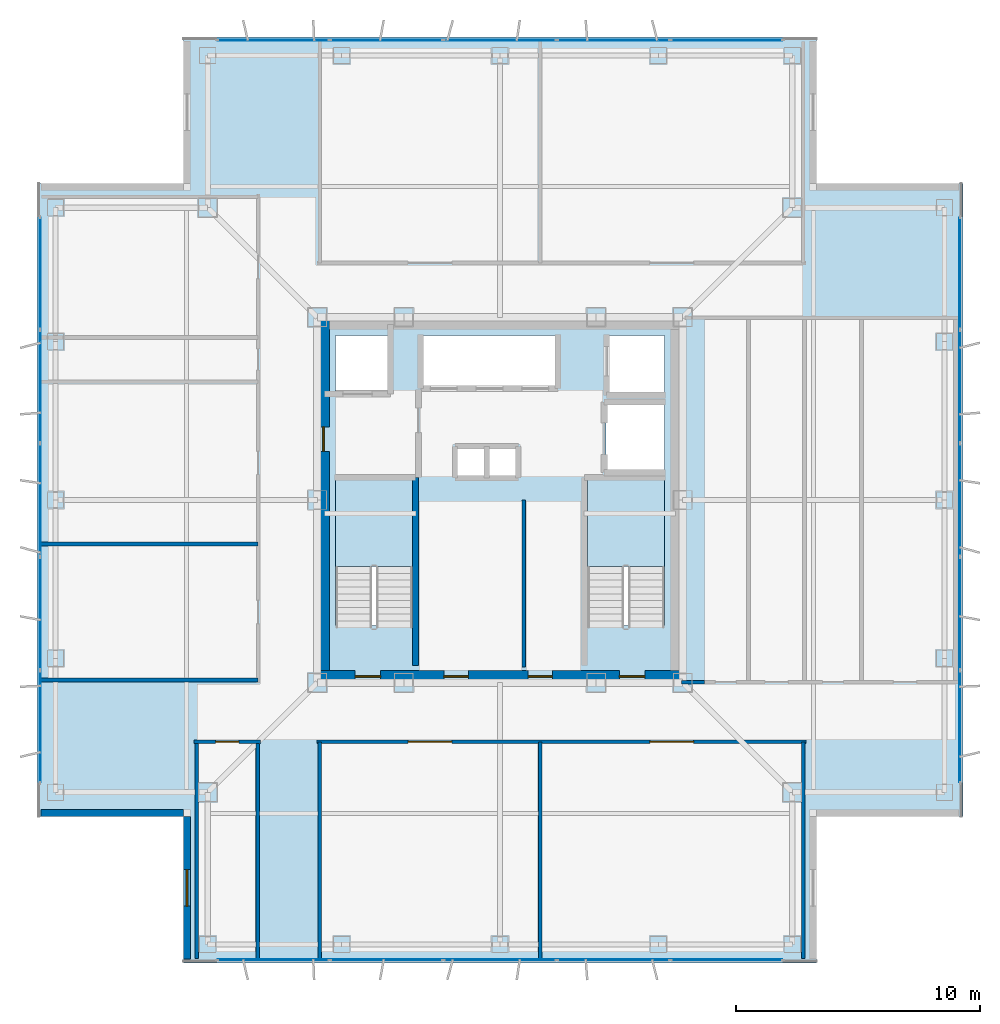
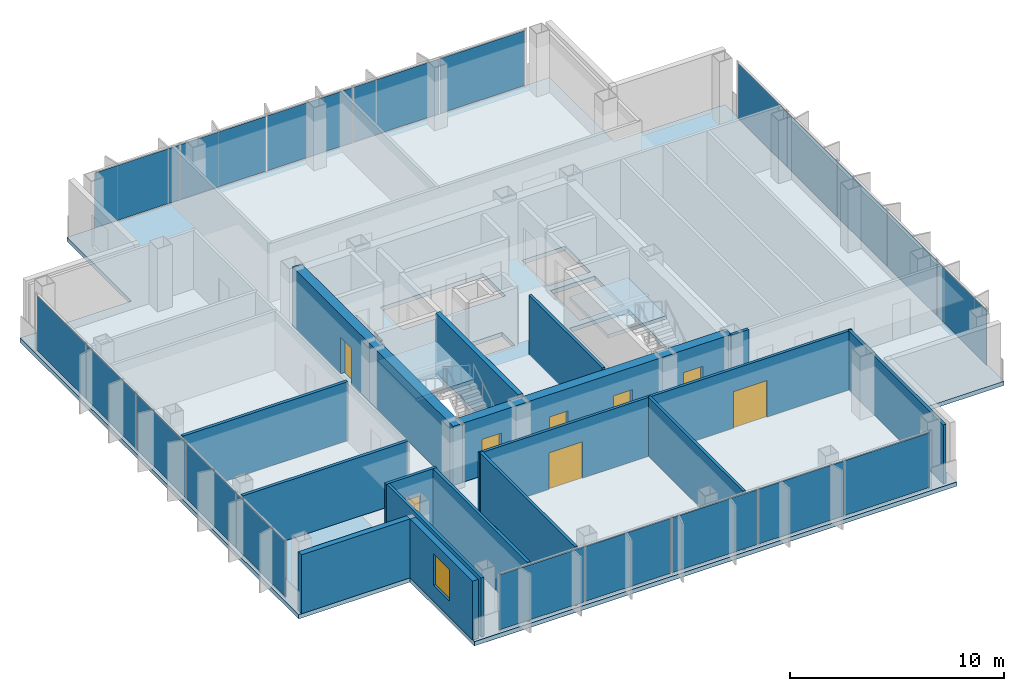
# One storey, part 7 of 15: 20 plates, 16 walls, 8 doors, 3 slabs, 1 window, 9 openings, 6 elements without a shape of their own.
"""IFC4 building model written with IfcOpenShell, lengths in metres."""

from ifc_helpers import new_model, si_unit, direction, frame, frame_2d, origin, origin_2d, place, context, subcontext, project, spatial, polyline, rectangle, outline, extrude, material, layer, layer_set, type_object, element, fill, aggregate, save


model = new_model("IFC4")

# Units and contexts
model_context = context("Model", 3, precision=1e-05, world=origin(), true_north=direction((0.0, 1.0)))
body_context = subcontext(model_context, "Body", "Model", "MODEL_VIEW")
ifc_project = project(units=[si_unit("LENGTHUNIT", "METRE"), si_unit("AREAUNIT", "SQUARE_METRE"), si_unit("VOLUMEUNIT", "CUBIC_METRE"), si_unit("PLANEANGLEUNIT", "RADIAN"), si_unit("MASSUNIT", "GRAM", prefix="KILO")], contexts=[model_context])

# Site, building, storey
site_placement = place(None, origin())
site = spatial("IfcSite", under=ifc_project, at=site_placement, CompositionType="ELEMENT")
building_placement = place(site_placement, origin())
building = spatial("IfcBuilding", under=site, at=building_placement, Name="Trevonay Congress Spire", CompositionType="ELEMENT")
storey_placement = place(building_placement, frame((0.0, 0.0, 282.800048828125)))
storey = spatial("IfcBuildingStorey", under=building, at=storey_placement, Name="L74", CompositionType="ELEMENT", Elevation=282.800048828125)

# Curtain wall, plates
ifc_material_1 = material(Name="Pale Anodised Aluminium EN AW-6063-T6", Category="aluminium")
ifc_layer_1 = layer(ifc_material_1, 0.1650390625, Name="Pale Anodised Aluminium EN AW-6063-T6")
ifc_layer_set_1 = layer_set([ifc_layer_1], Name="Pale Anodised Aluminium EN AW-6063-T6")
curtain_wall_type = type_object("IfcCurtainWallType", Name="CW-SYS05-DIPLOM-PALE-METAL", PredefinedType="NOTDEFINED", material=ifc_layer_set_1)
curtain_wall_1_placement = place(storey_placement, origin())
curtain_wall_1 = element("IfcCurtainWall", 1, at=curtain_wall_1_placement, inside=storey, type_object=curtain_wall_type, Name="L74 S unitised curtain wall", PredefinedType="NOTDEFINED")
ifc_material_2 = material(Name="Insulated Low-E Vision Glass IGU", Category="glass")
ifc_layer_2 = layer(ifc_material_2, 0.035888671875, Name="Insulated Low-E Vision Glass IGU")
ifc_layer_set_2 = layer_set([ifc_layer_2], Name="Insulated Low-E Vision Glass IGU")
plate_type = type_object("IfcPlateType", Name="CW-PANEL-IGU36-SILVER", PredefinedType="CURTAIN_PANEL", material=ifc_layer_set_2)
plate_1_placement = place(storey_placement, frame((-9.304931640625, -18.8798828125, 0.119873046875), z_axis=(0.0, 0.0, 1.0), x_axis=(1.0, 0.0, 0.0)))
plate_1 = element("IfcPlate", 2, at=plate_1_placement, type_object=plate_type, Name="CW05 panel 1.1", PredefinedType="CURTAIN_PANEL", context=body_context, shape_type="SweptSolid", body=[
    extrude(rectangle(XDim=4.570068359375, YDim=0.035888671875, at=origin_2d()), origin(), (0.0, 0.0, 1.0), 3.1201171875),
])
plate_2_placement = place(storey_placement, frame((-4.659912109375, -18.8798828125, 0.119873046875), z_axis=(0.0, 0.0, 1.0), x_axis=(1.0, 0.0, 0.0)))
plate_2 = element("IfcPlate", 3, at=plate_2_placement, type_object=plate_type, Name="CW05 panel 2.1", PredefinedType="CURTAIN_PANEL", context=body_context, shape_type="SweptSolid", body=[
    extrude(rectangle(XDim=4.60009765625, YDim=0.035888671875, at=origin_2d()), origin(), (0.0, 0.0, 1.0), 3.1201171875),
])
plate_3_placement = place(storey_placement, frame((0.0, -18.8798828125, 0.119873046875), z_axis=(0.0, 0.0, 1.0), x_axis=(1.0, 0.0, 0.0)))
plate_3 = element("IfcPlate", 4, at=plate_3_placement, type_object=plate_type, Name="CW05 panel 3.1", PredefinedType="CURTAIN_PANEL", context=body_context, shape_type="SweptSolid", body=[
    extrude(rectangle(XDim=4.60009765625, YDim=0.035888671875, at=origin_2d()), origin(), (0.0, 0.0, 1.0), 3.1201171875),
])
plate_4_placement = place(storey_placement, frame((4.659912109375, -18.8798828125, 0.119873046875), z_axis=(0.0, 0.0, 1.0), x_axis=(1.0, 0.0, 0.0)))
plate_4 = element("IfcPlate", 5, at=plate_4_placement, type_object=plate_type, Name="CW05 panel 4.1", PredefinedType="CURTAIN_PANEL", context=body_context, shape_type="SweptSolid", body=[
    extrude(rectangle(XDim=4.60009765625, YDim=0.035888671875, at=origin_2d()), origin(), (0.0, 0.0, 1.0), 3.1201171875),
])
plate_5_placement = place(storey_placement, frame((9.304931640625, -18.8798828125, 0.119873046875), z_axis=(0.0, 0.0, 1.0), x_axis=(1.0, 0.0, 0.0)))
plate_5 = element("IfcPlate", 6, at=plate_5_placement, type_object=plate_type, Name="CW05 panel 5.1", PredefinedType="CURTAIN_PANEL", context=body_context, shape_type="SweptSolid", body=[
    extrude(rectangle(XDim=4.570068359375, YDim=0.035888671875, at=origin_2d()), origin(), (0.0, 0.0, 1.0), 3.1201171875),
])
aggregate(curtain_wall_1, [plate_1, plate_2, plate_3, plate_4, plate_5])

curtain_wall_2_placement = place(storey_placement, origin())
curtain_wall_2 = element("IfcCurtainWall", 7, at=curtain_wall_2_placement, inside=storey, type_object=curtain_wall_type, Name="L74 N unitised curtain wall", PredefinedType="NOTDEFINED")
plate_6_placement = place(storey_placement, frame((-9.304931640625, 18.8798828125, 0.119873046875), z_axis=(0.0, 0.0, 1.0), x_axis=(1.0, 0.0, 0.0)))
plate_6 = element("IfcPlate", 8, at=plate_6_placement, type_object=plate_type, Name="CW05 panel 1.1", PredefinedType="CURTAIN_PANEL", context=body_context, shape_type="SweptSolid", body=[
    extrude(rectangle(XDim=4.570068359375, YDim=0.035888671875, at=origin_2d()), origin(), (0.0, 0.0, 1.0), 3.1201171875),
])
plate_7_placement = place(storey_placement, frame((-4.659912109375, 18.8798828125, 0.119873046875), z_axis=(0.0, 0.0, 1.0), x_axis=(1.0, 0.0, 0.0)))
plate_7 = element("IfcPlate", 9, at=plate_7_placement, type_object=plate_type, Name="CW05 panel 2.1", PredefinedType="CURTAIN_PANEL", context=body_context, shape_type="SweptSolid", body=[
    extrude(rectangle(XDim=4.60009765625, YDim=0.035888671875, at=origin_2d()), origin(), (0.0, 0.0, 1.0), 3.1201171875),
])
plate_8_placement = place(storey_placement, frame((0.0, 18.8798828125, 0.119873046875), z_axis=(0.0, 0.0, 1.0), x_axis=(1.0, 0.0, 0.0)))
plate_8 = element("IfcPlate", 10, at=plate_8_placement, type_object=plate_type, Name="CW05 panel 3.1", PredefinedType="CURTAIN_PANEL", context=body_context, shape_type="SweptSolid", body=[
    extrude(rectangle(XDim=4.60009765625, YDim=0.035888671875, at=origin_2d()), origin(), (0.0, 0.0, 1.0), 3.1201171875),
])
plate_9_placement = place(storey_placement, frame((4.659912109375, 18.8798828125, 0.119873046875), z_axis=(0.0, 0.0, 1.0), x_axis=(1.0, 0.0, 0.0)))
plate_9 = element("IfcPlate", 11, at=plate_9_placement, type_object=plate_type, Name="CW05 panel 4.1", PredefinedType="CURTAIN_PANEL", context=body_context, shape_type="SweptSolid", body=[
    extrude(rectangle(XDim=4.60009765625, YDim=0.035888671875, at=origin_2d()), origin(), (0.0, 0.0, 1.0), 3.1201171875),
])
plate_10_placement = place(storey_placement, frame((9.304931640625, 18.8798828125, 0.119873046875), z_axis=(0.0, 0.0, 1.0), x_axis=(1.0, 0.0, 0.0)))
plate_10 = element("IfcPlate", 12, at=plate_10_placement, type_object=plate_type, Name="CW05 panel 5.1", PredefinedType="CURTAIN_PANEL", context=body_context, shape_type="SweptSolid", body=[
    extrude(rectangle(XDim=4.570068359375, YDim=0.035888671875, at=origin_2d()), origin(), (0.0, 0.0, 1.0), 3.1201171875),
])
aggregate(curtain_wall_2, [plate_6, plate_7, plate_8, plate_9, plate_10])

curtain_wall_3_placement = place(storey_placement, origin())
curtain_wall_3 = element("IfcCurtainWall", 13, at=curtain_wall_3_placement, inside=storey, type_object=curtain_wall_type, Name="L74 W unitised curtain wall", PredefinedType="NOTDEFINED")
plate_11_placement = place(storey_placement, frame((-18.8798828125, -9.304931640625, 0.119873046875), z_axis=(0.0, 0.0, 1.0), x_axis=(0.0, 1.0, 0.0)))
plate_11 = element("IfcPlate", 14, at=plate_11_placement, type_object=plate_type, Name="CW05 panel 1.1", PredefinedType="CURTAIN_PANEL", context=body_context, shape_type="SweptSolid", body=[
    extrude(rectangle(XDim=4.570068359375, YDim=0.035888671875, at=origin_2d()), origin(), (0.0, 0.0, 1.0), 3.1201171875),
])
plate_12_placement = place(storey_placement, frame((-18.8798828125, -4.659912109375, 0.119873046875), z_axis=(0.0, 0.0, 1.0), x_axis=(0.0, 1.0, 0.0)))
plate_12 = element("IfcPlate", 15, at=plate_12_placement, type_object=plate_type, Name="CW05 panel 2.1", PredefinedType="CURTAIN_PANEL", context=body_context, shape_type="SweptSolid", body=[
    extrude(rectangle(XDim=4.60009765625, YDim=0.035888671875, at=origin_2d()), origin(), (0.0, 0.0, 1.0), 3.1201171875),
])
plate_13_placement = place(storey_placement, frame((-18.8798828125, 0.0, 0.119873046875), z_axis=(0.0, 0.0, 1.0), x_axis=(0.0, 1.0, 0.0)))
plate_13 = element("IfcPlate", 16, at=plate_13_placement, type_object=plate_type, Name="CW05 panel 3.1", PredefinedType="CURTAIN_PANEL", context=body_context, shape_type="SweptSolid", body=[
    extrude(rectangle(XDim=4.60009765625, YDim=0.035888671875, at=origin_2d()), origin(), (0.0, 0.0, 1.0), 3.1201171875),
])
plate_14_placement = place(storey_placement, frame((-18.8798828125, 4.659912109375, 0.119873046875), z_axis=(0.0, 0.0, 1.0), x_axis=(0.0, 1.0, 0.0)))
plate_14 = element("IfcPlate", 17, at=plate_14_placement, type_object=plate_type, Name="CW05 panel 4.1", PredefinedType="CURTAIN_PANEL", context=body_context, shape_type="SweptSolid", body=[
    extrude(rectangle(XDim=4.60009765625, YDim=0.035888671875, at=origin_2d()), origin(), (0.0, 0.0, 1.0), 3.1201171875),
])
plate_15_placement = place(storey_placement, frame((-18.8798828125, 9.304931640625, 0.119873046875), z_axis=(0.0, 0.0, 1.0), x_axis=(0.0, 1.0, 0.0)))
plate_15 = element("IfcPlate", 18, at=plate_15_placement, type_object=plate_type, Name="CW05 panel 5.1", PredefinedType="CURTAIN_PANEL", context=body_context, shape_type="SweptSolid", body=[
    extrude(rectangle(XDim=4.570068359375, YDim=0.035888671875, at=origin_2d()), origin(), (0.0, 0.0, 1.0), 3.1201171875),
])
aggregate(curtain_wall_3, [plate_11, plate_12, plate_13, plate_14, plate_15])

curtain_wall_4_placement = place(storey_placement, origin())
curtain_wall_4 = element("IfcCurtainWall", 19, at=curtain_wall_4_placement, inside=storey, type_object=curtain_wall_type, Name="L74 E unitised curtain wall", PredefinedType="NOTDEFINED")
plate_16_placement = place(storey_placement, frame((18.8798828125, -9.304931640625, 0.119873046875), z_axis=(0.0, 0.0, 1.0), x_axis=(0.0, 1.0, 0.0)))
plate_16 = element("IfcPlate", 20, at=plate_16_placement, type_object=plate_type, Name="CW05 panel 1.1", PredefinedType="CURTAIN_PANEL", context=body_context, shape_type="SweptSolid", body=[
    extrude(rectangle(XDim=4.570068359375, YDim=0.035888671875, at=origin_2d()), origin(), (0.0, 0.0, 1.0), 3.1201171875),
])
plate_17_placement = place(storey_placement, frame((18.8798828125, -4.659912109375, 0.119873046875), z_axis=(0.0, 0.0, 1.0), x_axis=(0.0, 1.0, 0.0)))
plate_17 = element("IfcPlate", 21, at=plate_17_placement, type_object=plate_type, Name="CW05 panel 2.1", PredefinedType="CURTAIN_PANEL", context=body_context, shape_type="SweptSolid", body=[
    extrude(rectangle(XDim=4.60009765625, YDim=0.035888671875, at=origin_2d()), origin(), (0.0, 0.0, 1.0), 3.1201171875),
])
plate_18_placement = place(storey_placement, frame((18.8798828125, 0.0, 0.119873046875), z_axis=(0.0, 0.0, 1.0), x_axis=(0.0, 1.0, 0.0)))
plate_18 = element("IfcPlate", 22, at=plate_18_placement, type_object=plate_type, Name="CW05 panel 3.1", PredefinedType="CURTAIN_PANEL", context=body_context, shape_type="SweptSolid", body=[
    extrude(rectangle(XDim=4.60009765625, YDim=0.035888671875, at=origin_2d()), origin(), (0.0, 0.0, 1.0), 3.1201171875),
])
plate_19_placement = place(storey_placement, frame((18.8798828125, 4.659912109375, 0.119873046875), z_axis=(0.0, 0.0, 1.0), x_axis=(0.0, 1.0, 0.0)))
plate_19 = element("IfcPlate", 23, at=plate_19_placement, type_object=plate_type, Name="CW05 panel 4.1", PredefinedType="CURTAIN_PANEL", context=body_context, shape_type="SweptSolid", body=[
    extrude(rectangle(XDim=4.60009765625, YDim=0.035888671875, at=origin_2d()), origin(), (0.0, 0.0, 1.0), 3.1201171875),
])
plate_20_placement = place(storey_placement, frame((18.8798828125, 9.304931640625, 0.119873046875), z_axis=(0.0, 0.0, 1.0), x_axis=(0.0, 1.0, 0.0)))
plate_20 = element("IfcPlate", 24, at=plate_20_placement, type_object=plate_type, Name="CW05 panel 5.1", PredefinedType="CURTAIN_PANEL", context=body_context, shape_type="SweptSolid", body=[
    extrude(rectangle(XDim=4.570068359375, YDim=0.035888671875, at=origin_2d()), origin(), (0.0, 0.0, 1.0), 3.1201171875),
])
aggregate(curtain_wall_4, [plate_16, plate_17, plate_18, plate_19, plate_20])

# Stair, slab
ifc_material_3 = material(Name="Concrete C40/50", Category="concrete")
stair_type_1 = type_object("IfcStairType", Name="STR-ST-1", PredefinedType="HALF_TURN_STAIR", material=ifc_material_3)
stair_1_placement = place(storey_placement, origin())
stair_1 = element("IfcStair", 25, at=stair_1_placement, inside=storey, type_object=stair_type_1, Name="L74 Protected Exit Stair ST-1", PredefinedType="HALF_TURN_STAIR")
ifc_layer_3 = layer(ifc_material_3, 0.199951171875, Name="Concrete C40/50")
ifc_layer_set_3 = layer_set([ifc_layer_3], Name="Concrete C40/50")
slab_type_1 = type_object("IfcSlabType", Name="SLB-STAIR-LAND-200", PredefinedType="LANDING", material=ifc_layer_set_3)
slab_1_placement = place(storey_placement, frame((0.0, 0.0, 1.599853515625)))
slab_1 = element("IfcSlab", 26, at=slab_1_placement, type_object=slab_type_1, Name="ST-1 landing 1", PredefinedType="LANDING", context=body_context, shape_type="SweptSolid", body=[
    extrude(outline(polyline([(-3.60009765625, -2.72998046875), (-3.60009765625, 0.85009765625), (-6.75, 0.85009765625), (-6.75, -2.72998046875), (-3.60009765625, -2.72998046875)])), origin(), (0.0, 0.0, 1.0), 0.2001953125),
])
aggregate(stair_1, [slab_1])

stair_type_2 = type_object("IfcStairType", Name="STR-ST-2", PredefinedType="HALF_TURN_STAIR", material=ifc_material_3)
stair_2_placement = place(storey_placement, origin())
stair_2 = element("IfcStair", 27, at=stair_2_placement, inside=storey, type_object=stair_type_2, Name="L74 Protected Exit Stair ST-2", PredefinedType="HALF_TURN_STAIR")
slab_2_placement = place(storey_placement, frame((0.0, 0.0, 1.599853515625)))
slab_2 = element("IfcSlab", 28, at=slab_2_placement, type_object=slab_type_1, Name="ST-2 landing 1", PredefinedType="LANDING", context=body_context, shape_type="SweptSolid", body=[
    extrude(outline(polyline([(6.75, -2.72998046875), (6.75, 0.85009765625), (3.60009765625, 0.85009765625), (3.60009765625, -2.72998046875), (6.75, -2.72998046875)])), origin(), (0.0, 0.0, 1.0), 0.2001953125),
])
aggregate(stair_2, [slab_2])

# Slab
ifc_layer_4 = layer(ifc_material_3, 0.239990234375, Name="Concrete C40/50")
ifc_layer_set_4 = layer_set([ifc_layer_4], Name="Concrete C40/50")
slab_type_2 = type_object("IfcSlabType", Name="SLB-TOW2-240", PredefinedType="FLOOR", material=ifc_layer_set_4)
slab_3_placement = place(storey_placement, frame((0.0, 0.0, -0.239990234375)))
element("IfcSlab", 29, at=slab_3_placement, inside=storey, type_object=slab_type_2, Name="L74 structural floor slab", PredefinedType="FLOOR", context=body_context, shape_type="SweptSolid", body=[
    extrude(outline(polyline([(-13.0, -19.0), (13.0, -19.0), (13.0, -13.0), (19.0, -13.0), (19.0, 13.0), (13.0, 13.0), (13.0, 19.0), (-13.0, 19.0), (-13.0, 13.0), (-19.0, 13.0), (-19.0, -13.0), (-13.0, -13.0), (-13.0, -19.0)]), holes=[polyline([(-3.60009765625, -5.14990234375), (-3.60009765625, 0.85009765625), (-6.75, 0.85009765625), (-6.75, -5.14990234375), (-3.60009765625, -5.14990234375)]), polyline([(6.75, -5.14990234375), (6.75, 0.85009765625), (3.60009765625, 0.85009765625), (3.60009765625, -5.14990234375), (6.75, -5.14990234375)]), polyline([(-3.199951171875, 4.64990234375), (2.340087890625, 4.64990234375), (2.340087890625, 6.75), (-3.199951171875, 6.75), (-3.199951171875, 4.64990234375)]), polyline([(-6.75, 4.35009765625), (-4.449951171875, 4.35009765625), (-4.449951171875, 6.75), (-6.75, 6.75), (-6.75, 4.35009765625)]), polyline([(4.449951171875, 4.35009765625), (6.75, 4.35009765625), (6.75, 6.75), (4.449951171875, 6.75), (4.449951171875, 4.35009765625)]), polyline([(4.35009765625, 1.199951171875), (6.75, 1.199951171875), (6.75, 3.949951171875), (4.35009765625, 3.949951171875), (4.35009765625, 1.199951171875)]), polyline([(-1.800048828125, 0.949951171875), (0.699951171875, 0.949951171875), (0.699951171875, 2.14990234375), (-1.800048828125, 2.14990234375), (-1.800048828125, 0.949951171875)])]), origin(), (0.0, 0.0, 1.0), 0.239990234375),
])

# Wall, openings, doors
ifc_material_4 = material(Name="Concrete C50/60", Category="concrete")
ifc_layer_5 = layer(ifc_material_4, 0.5, Name="Concrete C50/60")
ifc_layer_set_5 = layer_set([ifc_layer_5], Name="Concrete C50/60")
wall_type_1 = type_object("IfcWallType", Name="WAL-CORE-500", PredefinedType="SHEAR", material=ifc_layer_set_5)
wall_1_placement = place(storey_placement, frame((-7.5, -7.25, 0.0), z_axis=(0.0, 0.0, 1.0), x_axis=(1.0, 0.0, 0.0)))
wall_1 = element("IfcWall", 30, at=wall_1_placement, inside=storey, type_object=wall_type_1, Name="L74 South structural core shear wall", PredefinedType="SHEAR", context=body_context, shape_type="SweptSolid", body=[
    extrude(rectangle(XDim=15.0, YDim=0.5, at=frame_2d((7.5, 0.0))), origin(), (0.0, 0.0, 1.0), 3.35986328125),
])
opening_1_placement = place(wall_1_placement, frame((1.550048828125, 0.0, 0.0)))
opening_1 = element("IfcOpeningElement", 31, at=opening_1_placement, cuts=wall_1, Name="Opening D05", PredefinedType="OPENING", context=body_context, shape_type="SweptSolid", body=[
    extrude(rectangle(XDim=1.050048828125, YDim=2.080078125, at=frame_2d((0.52490234375, 1.0400390625))), frame((0.0, 0.260009765625, 0.0), z_axis=(0.0, -1.0, 0.0), x_axis=(1.0, 0.0, 0.0)), (0.0, 0.0, 1.0), 0.52001953125),
])
opening_2_placement = place(wall_1_placement, frame((12.39990234375, 0.0, 0.0)))
opening_2 = element("IfcOpeningElement", 32, at=opening_2_placement, cuts=wall_1, Name="Opening D05", PredefinedType="OPENING", context=body_context, shape_type="SweptSolid", body=[
    extrude(rectangle(XDim=1.050048828125, YDim=2.080078125, at=frame_2d((0.52490234375, 1.0400390625))), frame((0.0, 0.260009765625, 0.0), z_axis=(0.0, -1.0, 0.0), x_axis=(1.0, 0.0, 0.0)), (0.0, 0.0, 1.0), 0.52001953125),
])
opening_3_placement = place(wall_1_placement, frame((5.199951171875, 0.0, 0.0)))
opening_3 = element("IfcOpeningElement", 33, at=opening_3_placement, cuts=wall_1, Name="Opening D06", PredefinedType="OPENING", context=body_context, shape_type="SweptSolid", body=[
    extrude(rectangle(XDim=1.0, YDim=2.080078125, at=frame_2d((0.5, 1.0400390625))), frame((0.0, 0.260009765625, 0.0), z_axis=(0.0, -1.0, 0.0), x_axis=(1.0, 0.0, 0.0)), (0.0, 0.0, 1.0), 0.52001953125),
])
opening_4_placement = place(wall_1_placement, frame((8.64990234375, 0.0, 0.0)))
opening_4 = element("IfcOpeningElement", 34, at=opening_4_placement, cuts=wall_1, Name="Opening D06", PredefinedType="OPENING", context=body_context, shape_type="SweptSolid", body=[
    extrude(rectangle(XDim=1.0, YDim=2.080078125, at=frame_2d((0.5, 1.0400390625))), frame((0.0, 0.260009765625, 0.0), z_axis=(0.0, -1.0, 0.0), x_axis=(1.0, 0.0, 0.0)), (0.0, 0.0, 1.0), 0.52001953125),
])
ifc_material_5 = material(Name="Steel ASTM A572 Grade 50", Category="steel")
door_type_1 = type_object("IfcDoorType", Name="DOR-FIRE-100", OperationType="NOTDEFINED", PredefinedType="DOOR", material=ifc_material_5)
door_1_placement = place(opening_3_placement, origin())
door_1 = element("IfcDoor", 35, at=door_1_placement, inside=storey, type_object=door_type_1, Name="L74 South Core Room 1 Door", OperationType="SINGLE_SWING_LEFT", OverallHeight=2.080078125, OverallWidth=1.0, PredefinedType="DOOR", context=body_context, shape_type="SweptSolid", body=[
    extrude(rectangle(XDim=1.0, YDim=2.080078125, at=frame_2d((0.5, 1.0400390625))), frame((0.0, 0.02490234375, 0.0), z_axis=(0.0, -1.0, 0.0), x_axis=(1.0, 0.0, 0.0)), (0.0, 0.0, 1.0), 0.050048828125),
])
fill(opening_3, door_1)
door_2_placement = place(opening_4_placement, origin())
door_2 = element("IfcDoor", 36, at=door_2_placement, inside=storey, type_object=door_type_1, Name="L74 South Core Room 2 Door", OperationType="SINGLE_SWING_RIGHT", OverallHeight=2.080078125, OverallWidth=1.0, PredefinedType="DOOR", context=body_context, shape_type="SweptSolid", body=[
    extrude(rectangle(XDim=1.0, YDim=2.080078125, at=frame_2d((0.5, 1.0400390625))), frame((0.0, 0.02490234375, 0.0), z_axis=(0.0, -1.0, 0.0), x_axis=(1.0, 0.0, 0.0)), (0.0, 0.0, 1.0), 0.050048828125),
])
fill(opening_4, door_2)
door_type_2 = type_object("IfcDoorType", Name="DOR-STAIR-110", OperationType="NOTDEFINED", PredefinedType="DOOR", material=ifc_material_5)
door_3_placement = place(opening_1_placement, origin())
door_3 = element("IfcDoor", 37, at=door_3_placement, inside=storey, type_object=door_type_2, Name="L74 Protected Stair ST-1 Door", OperationType="SINGLE_SWING_RIGHT", OverallHeight=2.080078125, OverallWidth=1.050048828125, PredefinedType="DOOR", context=body_context, shape_type="SweptSolid", body=[
    extrude(rectangle(XDim=1.050048828125, YDim=2.080078125, at=frame_2d((0.52490234375, 1.0400390625))), frame((0.0, 0.02490234375, 0.0), z_axis=(0.0, -1.0, 0.0), x_axis=(1.0, 0.0, 0.0)), (0.0, 0.0, 1.0), 0.050048828125),
])
fill(opening_1, door_3)
door_4_placement = place(opening_2_placement, origin())
door_4 = element("IfcDoor", 38, at=door_4_placement, inside=storey, type_object=door_type_2, Name="L74 Protected Stair ST-2 Door", OperationType="SINGLE_SWING_LEFT", OverallHeight=2.080078125, OverallWidth=1.050048828125, PredefinedType="DOOR", context=body_context, shape_type="SweptSolid", body=[
    extrude(rectangle(XDim=1.050048828125, YDim=2.080078125, at=frame_2d((0.52490234375, 1.0400390625))), frame((0.0, 0.02490234375, 0.0), z_axis=(0.0, -1.0, 0.0), x_axis=(1.0, 0.0, 0.0)), (0.0, 0.0, 1.0), 0.050048828125),
])
fill(opening_2, door_4)

# Wall, opening, door
wall_2_placement = place(storey_placement, frame((-7.25, -7.5, 0.0), z_axis=(0.0, 0.0, 1.0), x_axis=(0.0, 1.0, 0.0)))
wall_2 = element("IfcWall", 39, at=wall_2_placement, inside=storey, type_object=wall_type_1, Name="L74 West structural core shear wall", PredefinedType="SHEAR", context=body_context, shape_type="SweptSolid", body=[
    extrude(rectangle(XDim=15.0, YDim=0.5, at=frame_2d((7.5, 0.0))), origin(), (0.0, 0.0, 1.0), 3.35986328125),
])
opening_5_placement = place(wall_2_placement, frame((9.5, 0.0, 0.0)))
opening_5 = element("IfcOpeningElement", 40, at=opening_5_placement, cuts=wall_2, Name="Opening D06", PredefinedType="OPENING", context=body_context, shape_type="SweptSolid", body=[
    extrude(rectangle(XDim=1.0, YDim=2.080078125, at=frame_2d((0.5, 1.0400390625))), frame((0.0, 0.260009765625, 0.0), z_axis=(0.0, -1.0, 0.0), x_axis=(1.0, 0.0, 0.0)), (0.0, 0.0, 1.0), 0.52001953125),
])
door_5_placement = place(opening_5_placement, origin())
door_5 = element("IfcDoor", 41, at=door_5_placement, inside=storey, type_object=door_type_1, Name="L74 Firefighting Lift Lobby West Corridor Door", OperationType="SINGLE_SWING_RIGHT", OverallHeight=2.080078125, OverallWidth=1.0, PredefinedType="DOOR", context=body_context, shape_type="SweptSolid", body=[
    extrude(rectangle(XDim=1.0, YDim=2.080078125, at=frame_2d((0.5, 1.0400390625))), frame((0.0, 0.02490234375, 0.0), z_axis=(0.0, -1.0, 0.0), x_axis=(1.0, 0.0, 0.0)), (0.0, 0.0, 1.0), 0.050048828125),
])
fill(opening_5, door_5)

ifc_layer_6 = layer(ifc_material_3, 0.14990234375, Name="Concrete C40/50")
ifc_layer_set_6 = layer_set([ifc_layer_6], Name="Concrete C40/50")
wall_type_2 = type_object("IfcWallType", Name="WAL-CORR-150", PredefinedType="PARTITIONING", material=ifc_layer_set_6)
wall_3_placement = place(storey_placement, frame((-12.570068359375, -9.929931640625, 0.0), z_axis=(0.0, 0.0, 1.0), x_axis=(1.0, 0.0, 0.0)))
wall_3 = element("IfcWall", 42, at=wall_3_placement, inside=storey, type_object=wall_type_2, Name="L74 interior wall WP-L74SW-COR", PredefinedType="PARTITIONING", context=body_context, shape_type="SweptSolid", body=[
    extrude(rectangle(XDim=2.739990234375, YDim=0.14990234375, at=frame_2d((1.3701171875, 0.0))), origin(), (0.0, 0.0, 1.0), 3.35986328125),
])
opening_6_placement = place(wall_3_placement, frame((0.89501953125, 0.0, 0.0)))
opening_6 = element("IfcOpeningElement", 43, at=opening_6_placement, cuts=wall_3, Name="Opening D07", PredefinedType="OPENING", context=body_context, shape_type="SweptSolid", body=[
    extrude(rectangle(XDim=0.949951171875, YDim=2.06005859375, at=frame_2d((0.47509765625, 1.030029296875))), frame((0.0, 0.0849609375, 0.0), z_axis=(0.0, -1.0, 0.0), x_axis=(1.0, 0.0, 0.0)), (0.0, 0.0, 1.0), 0.169921875),
])
door_type_3 = type_object("IfcDoorType", Name="DOR-OFFICE-95", OperationType="NOTDEFINED", PredefinedType="DOOR", material=ifc_material_1)
door_6_placement = place(opening_6_placement, origin())
door_6 = element("IfcDoor", 44, at=door_6_placement, inside=storey, type_object=door_type_3, Name="L74 Managing Director Suite Office Door", OperationType="SINGLE_SWING_RIGHT", OverallHeight=2.06005859375, OverallWidth=0.949951171875, PredefinedType="DOOR", context=body_context, shape_type="SweptSolid", body=[
    extrude(rectangle(XDim=0.949951171875, YDim=2.06005859375, at=frame_2d((0.47509765625, 1.030029296875))), frame((0.0, 0.02490234375, 0.0), z_axis=(0.0, -1.0, 0.0), x_axis=(1.0, 0.0, 0.0)), (0.0, 0.0, 1.0), 0.050048828125),
])
fill(opening_6, door_6)

# Wall, openings, doors
wall_4_placement = place(storey_placement, frame((-7.52001953125, -9.929931640625, 0.0), z_axis=(0.0, 0.0, 1.0), x_axis=(1.0, 0.0, 0.0)))
wall_4 = element("IfcWall", 45, at=wall_4_placement, inside=storey, type_object=wall_type_2, Name="L74 interior wall WP-L74SE-COR", PredefinedType="PARTITIONING", context=body_context, shape_type="SweptSolid", body=[
    extrude(rectangle(XDim=20.090087890625, YDim=0.14990234375, at=frame_2d((10.044921875, 0.0))), origin(), (0.0, 0.0, 1.0), 3.35986328125),
])
opening_7_placement = place(wall_4_placement, frame((3.7451171875, 0.0, 0.0)))
opening_7 = element("IfcOpeningElement", 46, at=opening_7_placement, cuts=wall_4, Name="Opening D09", PredefinedType="OPENING", context=body_context, shape_type="SweptSolid", body=[
    extrude(rectangle(XDim=1.800048828125, YDim=2.080078125, at=frame_2d((0.89990234375, 1.0400390625))), frame((0.0, 0.0849609375, 0.0), z_axis=(0.0, -1.0, 0.0), x_axis=(1.0, 0.0, 0.0)), (0.0, 0.0, 1.0), 0.169921875),
])
opening_8_placement = place(wall_4_placement, frame((13.669921875, 0.0, 0.0)))
opening_8 = element("IfcOpeningElement", 47, at=opening_8_placement, cuts=wall_4, Name="Opening D09", PredefinedType="OPENING", context=body_context, shape_type="SweptSolid", body=[
    extrude(rectangle(XDim=1.800048828125, YDim=2.080078125, at=frame_2d((0.89990234375, 1.0400390625))), frame((0.0, 0.0849609375, 0.0), z_axis=(0.0, -1.0, 0.0), x_axis=(1.0, 0.0, 0.0)), (0.0, 0.0, 1.0), 0.169921875),
])
door_type_4 = type_object("IfcDoorType", Name="DOR-CONF-DBL", OperationType="DOUBLE_DOOR_SINGLE_SWING", PredefinedType="DOOR", material=ifc_material_1)
door_7_placement = place(opening_7_placement, origin())
door_7 = element("IfcDoor", 48, at=door_7_placement, inside=storey, type_object=door_type_4, Name="L74 Investment Committee Boardroom Door", OperationType="DOUBLE_DOOR_SINGLE_SWING", OverallHeight=2.080078125, OverallWidth=1.800048828125, PredefinedType="DOOR", context=body_context, shape_type="SweptSolid", body=[
    extrude(rectangle(XDim=1.800048828125, YDim=2.080078125, at=frame_2d((0.89990234375, 1.0400390625))), frame((0.0, 0.02490234375, 0.0), z_axis=(0.0, -1.0, 0.0), x_axis=(1.0, 0.0, 0.0)), (0.0, 0.0, 1.0), 0.050048828125),
])
fill(opening_7, door_7)
door_8_placement = place(opening_8_placement, origin())
door_8 = element("IfcDoor", 49, at=door_8_placement, inside=storey, type_object=door_type_4, Name="L74 LP Advisory Boardroom Door", OperationType="DOUBLE_DOOR_SINGLE_SWING", OverallHeight=2.080078125, OverallWidth=1.800048828125, PredefinedType="DOOR", context=body_context, shape_type="SweptSolid", body=[
    extrude(rectangle(XDim=1.800048828125, YDim=2.080078125, at=frame_2d((0.89990234375, 1.0400390625))), frame((0.0, 0.02490234375, 0.0), z_axis=(0.0, -1.0, 0.0), x_axis=(1.0, 0.0, 0.0)), (0.0, 0.0, 1.0), 0.050048828125),
])
fill(opening_8, door_8)

# Wall
wall_5_placement = place(storey_placement, frame((7.449951171875, -7.47998046875, 0.0), z_axis=(0.0, 0.0, 1.0), x_axis=(1.0, 0.0, 0.0)))
element("IfcWall", 50, at=wall_5_placement, inside=storey, type_object=wall_type_2, Name="L74 interior wall WP-L74E-STUB", PredefinedType="PARTITIONING", context=body_context, shape_type="SweptSolid", body=[
    extrude(rectangle(XDim=0.949951171875, YDim=0.14990234375, at=frame_2d((0.47509765625, 0.0))), origin(), (0.0, 0.0, 1.0), 3.35986328125),
])

# Wall, opening, window
ifc_material_6 = material(Name="Precast concrete C40/50", Category="concrete")
ifc_layer_7 = layer(ifc_material_6, 0.300048828125, Name="Precast concrete C40/50")
ifc_layer_set_7 = layer_set([ifc_layer_7], Name="Precast concrete C40/50")
wall_type_3 = type_object("IfcWallType", Name="WAL-EXT-PRECAST-300", PredefinedType="SOLIDWALL", material=ifc_layer_set_7)
wall_6_placement = place(storey_placement, frame((-12.85009765625, -18.85009765625, 0.0), z_axis=(0.0, 0.0, 1.0), x_axis=(0.0, 1.0, 0.0)))
wall_6 = element("IfcWall", 51, at=wall_6_placement, inside=storey, type_object=wall_type_3, Name="L74 SW re-entrant notch exterior wall 1", PredefinedType="SOLIDWALL", context=body_context, shape_type="SweptSolid", body=[
    extrude(rectangle(XDim=5.85009765625, YDim=0.300048828125, at=frame_2d((2.925048828125, 0.0))), origin(), (0.0, 0.0, 1.0), 3.35986328125),
])
opening_9_placement = place(wall_6_placement, frame((2.175048828125, 0.0, 0.89990234375)))
opening_9 = element("IfcOpeningElement", 52, at=opening_9_placement, cuts=wall_6, Name="Opening WN03", PredefinedType="OPENING", context=body_context, shape_type="SweptSolid", body=[
    extrude(rectangle(XDim=1.5, YDim=1.800048828125, at=frame_2d((0.75, 0.89990234375))), frame((0.0, 0.16015625, 0.0), z_axis=(0.0, -1.0, 0.0), x_axis=(1.0, 0.0, 0.0)), (0.0, 0.0, 1.0), 0.320068359375),
])
window_type = type_object("IfcWindowType", Name="WIN-NOTCH-150X180", PartitioningType="SINGLE_PANEL", PredefinedType="WINDOW", material=ifc_material_2)
window_placement = place(opening_9_placement, origin())
window = element("IfcWindow", 53, at=window_placement, inside=storey, type_object=window_type, Name="L74 SW corner notch window", OverallHeight=1.800048828125, OverallWidth=1.5, PartitioningType="SINGLE_PANEL", PredefinedType="WINDOW", context=body_context, shape_type="SweptSolid", body=[
    extrude(rectangle(XDim=1.5, YDim=1.800048828125, at=frame_2d((0.75, 0.89990234375))), frame((0.0, 0.030029296875, 0.0), z_axis=(0.0, -1.0, 0.0), x_axis=(1.0, 0.0, 0.0)), (0.0, 0.0, 1.0), 0.06005859375),
])
fill(opening_9, window)

# Walls
wall_7_placement = place(storey_placement, frame((-18.85009765625, -12.85009765625, 0.0), z_axis=(0.0, 0.0, 1.0), x_axis=(1.0, 0.0, 0.0)))
element("IfcWall", 54, at=wall_7_placement, inside=storey, type_object=wall_type_3, Name="L74 SW re-entrant notch exterior wall 2", PredefinedType="SOLIDWALL", context=body_context, shape_type="SweptSolid", body=[
    extrude(rectangle(XDim=5.85009765625, YDim=0.300048828125, at=frame_2d((2.925048828125, 0.0))), origin(), (0.0, 0.0, 1.0), 3.35986328125),
])
ifc_layer_8 = layer(ifc_material_3, 0.14990234375, Name="Concrete C40/50")
ifc_layer_set_8 = layer_set([ifc_layer_8], Name="Concrete C40/50")
wall_type_4 = type_object("IfcWallType", Name="WAL-PART-150", PredefinedType="PARTITIONING", material=ifc_layer_set_8)
wall_8_placement = place(storey_placement, frame((0.97998046875, -6.85009765625, 0.0), z_axis=(0.0, 0.0, 1.0), x_axis=(0.0, 1.0, 0.0)))
element("IfcWall", 55, at=wall_8_placement, inside=storey, type_object=wall_type_4, Name="L74 interior wall CW-F3-L74", PredefinedType="PARTITIONING", context=body_context, shape_type="SweptSolid", body=[
    extrude(rectangle(XDim=6.85009765625, YDim=0.14990234375, at=frame_2d((3.425048828125, 0.0))), origin(), (0.0, 0.0, 1.0), 3.35986328125),
])
for number, where, z_axis, x_axis, name in (
    (56, (-12.449951171875, -18.820068359375, 0.0), (0.0, 0.0, 1.0), (0.0, 1.0, 0.0), "L74 interior wall WP-L74SW-DIV1"),
    (57, (-9.949951171875, -18.820068359375, 0.0), (0.0, 0.0, 1.0), (0.0, 1.0, 0.0), "L74 interior wall WP-L74SW-DIV2"),
    (58, (-7.39990234375, -18.820068359375, 0.0), (0.0, 0.0, 1.0), (0.0, 1.0, 0.0), "L74 interior wall WP-L74SE-DIV1"),
    (59, (1.64990234375, -18.820068359375, 0.0), (0.0, 0.0, 1.0), (0.0, 1.0, 0.0), "L74 interior wall WP-L74SE-DIV2"),
    (60, (12.449951171875, -18.820068359375, 0.0), (0.0, 0.0, 1.0), (0.0, 1.0, 0.0), "L74 interior wall WP-L74SE-DIV3"),
):
    element("IfcWall", number, at=place(storey_placement, frame(where, z_axis=z_axis, x_axis=x_axis)), inside=storey, type_object=wall_type_4, Name=name, PredefinedType="PARTITIONING", context=body_context, shape_type="SweptSolid", body=[
        extrude(rectangle(XDim=8.89013671875, YDim=0.14990234375, at=frame_2d((4.445068359375, 0.0))), origin(), (0.0, 0.0, 1.0), 3.35986328125),
    ])
ifc_layer_9 = layer(ifc_material_3, 0.25, Name="Concrete C40/50")
ifc_layer_set_9 = layer_set([ifc_layer_9], Name="Concrete C40/50")
wall_type_5 = type_object("IfcWallType", Name="WAL-SHAFT-LB-250", PredefinedType="SHEAR", material=ifc_layer_set_9)
wall_9_placement = place(storey_placement, frame((-3.469970703125, -6.800048828125, 0.0), z_axis=(0.0, 0.0, 1.0), x_axis=(0.0, 1.0, 0.0)))
element("IfcWall", 61, at=wall_9_placement, inside=storey, type_object=wall_type_5, Name="L74 interior shaft wall WSH-L74-ST1-E", PredefinedType="SHEAR", context=body_context, shape_type="SweptSolid", body=[
    extrude(rectangle(XDim=7.719970703125, YDim=0.25, at=frame_2d((3.85986328125, 0.0))), origin(), (0.0, 0.0, 1.0), 3.35986328125),
])
ifc_layer_10 = layer(ifc_material_3, 0.1650390625, Name="Concrete C40/50")
ifc_layer_set_10 = layer_set([ifc_layer_10], Name="Concrete C40/50")
wall_type_6 = type_object("IfcWallType", Name="WAL-WET-165", PredefinedType="PLUMBINGWALL", material=ifc_layer_set_10)
for number, where, z_axis, x_axis, name in (
    (62, (-18.820068359375, -7.39990234375, 0.0), (0.0, 0.0, 1.0), (1.0, 0.0, 0.0), "L74 interior wall WP-L74NW-DIV1"),
    (63, (-18.820068359375, -1.800048828125, 0.0), (0.0, 0.0, 1.0), (1.0, 0.0, 0.0), "L74 interior wall WP-L74NW-DIV2"),
):
    element("IfcWall", number, at=place(storey_placement, frame(where, z_axis=z_axis, x_axis=x_axis)), inside=storey, type_object=wall_type_6, Name=name, PredefinedType="PLUMBINGWALL", context=body_context, shape_type="SweptSolid", body=[
        extrude(rectangle(XDim=8.89013671875, YDim=0.1650390625, at=frame_2d((4.445068359375, 0.0))), origin(), (0.0, 0.0, 1.0), 3.35986328125),
    ])

save(model, "model.ifc")
